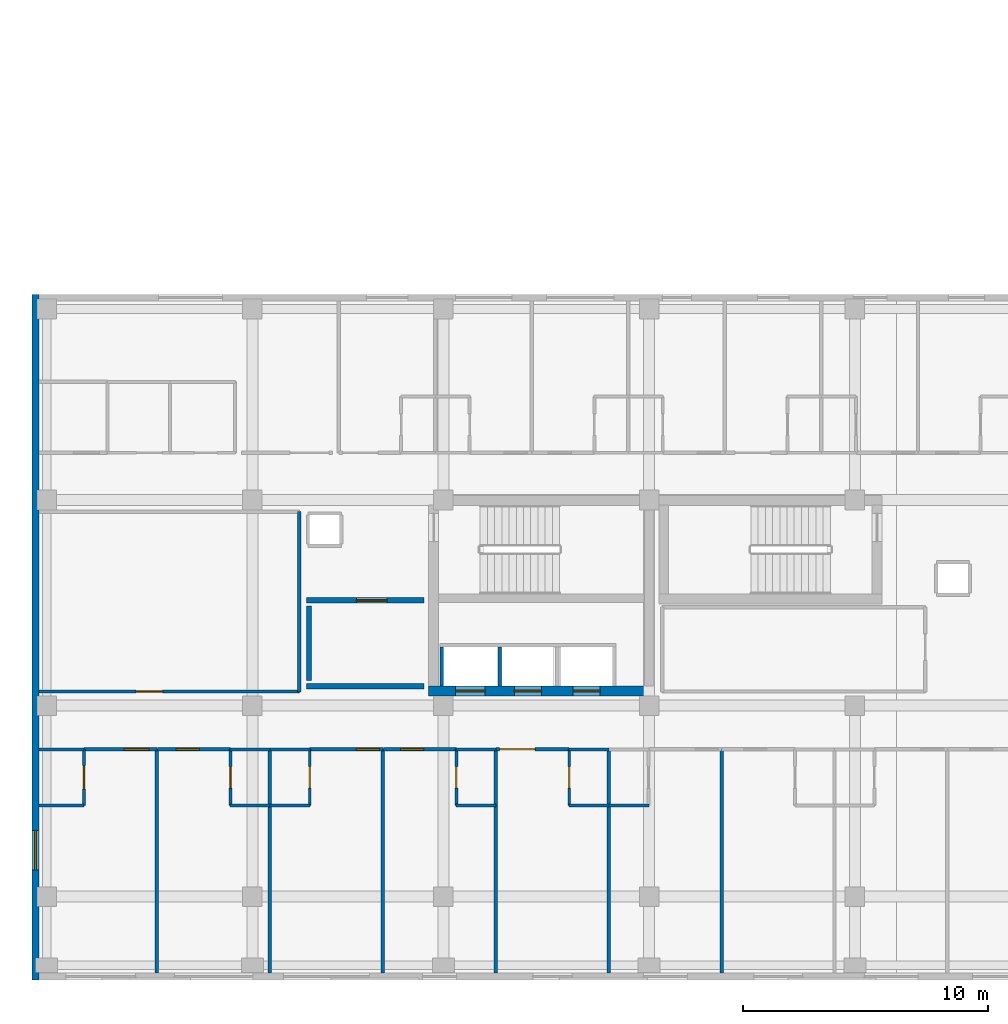
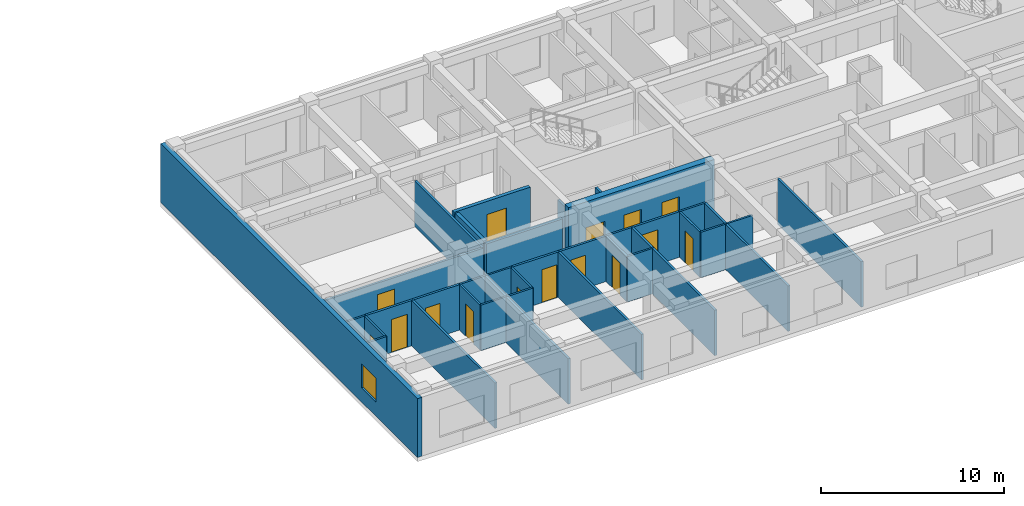
# One storey, part 102 of 123: 36 walls, 15 doors, 1 window, 16 openings.
"""IFC4 building model written with IfcOpenShell, lengths in metres."""

from ifc_helpers import new_model, si_unit, direction, frame, frame_2d, origin, place, context, subcontext, project, spatial, rectangle, extrude, material, layer, layer_set, type_object, element, fill, save


model = new_model("IFC4")

# Units and contexts
model_context = context("Model", 3, precision=1e-05, world=origin(), true_north=direction((0.0, 1.0)))
body_context = subcontext(model_context, "Body", "Model", "MODEL_VIEW")
ifc_project = project(units=[si_unit("LENGTHUNIT", "METRE"), si_unit("AREAUNIT", "SQUARE_METRE"), si_unit("VOLUMEUNIT", "CUBIC_METRE"), si_unit("PLANEANGLEUNIT", "RADIAN"), si_unit("MASSUNIT", "GRAM", prefix="KILO")], contexts=[model_context])

# Site, building, storey
site_placement = place(None, origin())
site = spatial("IfcSite", under=ifc_project, at=site_placement, CompositionType="ELEMENT")
building_placement = place(site_placement, origin())
building = spatial("IfcBuilding", under=site, at=building_placement, Name="Zayran Congress Hotel", CompositionType="ELEMENT")
storey_placement = place(building_placement, frame((0.0, 0.0, 15.0)))
storey = spatial("IfcBuildingStorey", under=building, at=storey_placement, Name="L03", CompositionType="ELEMENT", Elevation=15.0)

# Wall, opening, window
ifc_material_1 = material(Name="Hajar Ma'ani limestone cavity wall and concrete C32/40", Category="masonry")
ifc_layer_1 = layer(ifc_material_1, 0.280029296875)
ifc_layer_set_1 = layer_set([ifc_layer_1], Name="Hajar Ma'ani limestone cavity wall and concrete C32/40")
wall_type_1 = type_object("IfcWallType", Name="WL-EX-280", PredefinedType="SOLIDWALL", material=ifc_layer_set_1)
wall_1_placement = place(storey_placement, frame((8.5400390625, 6.0, 0.0), z_axis=(0.0, 0.0, 1.0), x_axis=(0.0, 1.0, 0.0)))
wall_1 = element("IfcWall", 1, at=wall_1_placement, inside=storey, type_object=wall_type_1, Name="EW-V5-W-L03", PredefinedType="SOLIDWALL", context=body_context, shape_type="SweptSolid", body=[
    extrude(rectangle(XDim=28.0, YDim=0.280029296875, at=frame_2d((14.0, 0.0))), origin(), (0.0, 0.0, 1.0), 3.919921875),
])
opening_1_placement = place(wall_1_placement, frame((4.5, 0.0, 0.949951171875)))
opening_1 = element("IfcOpeningElement", 2, at=opening_1_placement, cuts=wall_1, Name="Opening WN-15", PredefinedType="OPENING", context=body_context, shape_type="SweptSolid", body=[
    extrude(rectangle(XDim=1.60009765625, YDim=1.60009765625, at=frame_2d((0.800048828125, 0.800048828125))), frame((0.0, 0.14990234375, 0.0), z_axis=(0.0, -1.0, 0.0), x_axis=(1.0, 0.0, 0.0)), (0.0, 0.0, 1.0), 0.300048828125),
])
ifc_material_2 = material(Name="Anodised aluminium and low-E insulated glass", Category="aluminium")
window_type = type_object("IfcWindowType", Name="TP-WN-15", PartitioningType="SINGLE_PANEL", PredefinedType="WINDOW", material=ifc_material_2)
window_placement = place(opening_1_placement, origin())
window = element("IfcWindow", 3, at=window_placement, inside=storey, type_object=window_type, Name="WIN-V5W-L03", OverallHeight=1.60009765625, OverallWidth=1.60009765625, PartitioningType="SINGLE_PANEL", PredefinedType="WINDOW", context=body_context, shape_type="SweptSolid", body=[
    extrude(rectangle(XDim=1.60009765625, YDim=1.60009765625, at=frame_2d((0.800048828125, 0.800048828125))), frame((0.0, 0.030029296875, 0.0), z_axis=(0.0, -1.0, 0.0), x_axis=(1.0, 0.0, 0.0)), (0.0, 0.0, 1.0), 0.06005859375),
])
fill(opening_1, window)

# Wall, openings, doors
ifc_material_3 = material(Name="Concrete C40/50", Category="concrete")
ifc_layer_2 = layer(ifc_material_3, 0.39990234375)
ifc_layer_set_2 = layer_set([ifc_layer_2], Name="Concrete C40/50")
wall_type_2 = type_object("IfcWallType", Name="WL-SH-400", PredefinedType="SHEAR", material=ifc_layer_set_2)
wall_2_placement = place(storey_placement, frame((24.60009765625, 17.800048828125, 0.0), z_axis=(0.0, 0.0, 1.0), x_axis=(1.0, 0.0, 0.0)))
wall_2 = element("IfcWall", 4, at=wall_2_placement, inside=storey, type_object=wall_type_2, Name="CWALL-C-V5W-L03-S", PredefinedType="SHEAR", context=body_context, shape_type="SweptSolid", body=[
    extrude(rectangle(XDim=9.199951171875, YDim=0.39990234375, at=frame_2d((4.60009765625, 0.0))), origin(), (0.0, 0.0, 1.0), 3.919921875),
])
opening_2_placement = place(wall_2_placement, frame((1.10009765625, 0.0, 0.0)))
opening_2 = element("IfcOpeningElement", 5, at=opening_2_placement, cuts=wall_2, Name="Opening LD-FL01", PredefinedType="OPENING", context=body_context, shape_type="SweptSolid", body=[
    extrude(rectangle(XDim=1.199951171875, YDim=2.199951171875, at=frame_2d((0.60009765625, 1.10009765625))), frame((0.0, 0.2099609375, 0.0), z_axis=(0.0, -1.0, 0.0), x_axis=(1.0, 0.0, 0.0)), (0.0, 0.0, 1.0), 0.419921875),
])
opening_3_placement = place(wall_2_placement, frame((3.5, 0.0, 0.0)))
opening_3 = element("IfcOpeningElement", 6, at=opening_3_placement, cuts=wall_2, Name="Opening LD-PL01", PredefinedType="OPENING", context=body_context, shape_type="SweptSolid", body=[
    extrude(rectangle(XDim=1.10009765625, YDim=2.199951171875, at=frame_2d((0.550048828125, 1.10009765625))), frame((0.0, 0.2099609375, 0.0), z_axis=(0.0, -1.0, 0.0), x_axis=(1.0, 0.0, 0.0)), (0.0, 0.0, 1.0), 0.419921875),
])
opening_4_placement = place(wall_2_placement, frame((5.89990234375, 0.0, 0.0)))
opening_4 = element("IfcOpeningElement", 7, at=opening_4_placement, cuts=wall_2, Name="Opening LD-PL02", PredefinedType="OPENING", context=body_context, shape_type="SweptSolid", body=[
    extrude(rectangle(XDim=1.10009765625, YDim=2.199951171875, at=frame_2d((0.550048828125, 1.10009765625))), frame((0.0, 0.2099609375, 0.0), z_axis=(0.0, -1.0, 0.0), x_axis=(1.0, 0.0, 0.0)), (0.0, 0.0, 1.0), 0.419921875),
])
ifc_material_4 = material(Name="Brushed stainless steel sliding lift landing door", Category="steel")
door_type_1 = type_object("IfcDoorType", Name="TP-DR-LD-01", OperationType="DOUBLE_DOOR_SLIDING", PredefinedType="DOOR", material=ifc_material_4)
door_1_placement = place(opening_3_placement, origin())
door_1 = element("IfcDoor", 8, at=door_1_placement, inside=storey, type_object=door_type_1, Name="Lift PL-01 Sliding Landing Door L03", OperationType="DOUBLE_DOOR_SLIDING", OverallHeight=2.199951171875, OverallWidth=1.10009765625, PredefinedType="DOOR", context=body_context, shape_type="SweptSolid", body=[
    extrude(rectangle(XDim=1.10009765625, YDim=2.199951171875, at=frame_2d((0.550048828125, 1.10009765625))), frame((0.0, 0.02490234375, 0.0), z_axis=(0.0, -1.0, 0.0), x_axis=(1.0, 0.0, 0.0)), (0.0, 0.0, 1.0), 0.050048828125),
])
fill(opening_3, door_1)
door_2_placement = place(opening_4_placement, origin())
door_2 = element("IfcDoor", 9, at=door_2_placement, inside=storey, type_object=door_type_1, Name="Lift PL-02 Sliding Landing Door L03", OperationType="DOUBLE_DOOR_SLIDING", OverallHeight=2.199951171875, OverallWidth=1.10009765625, PredefinedType="DOOR", context=body_context, shape_type="SweptSolid", body=[
    extrude(rectangle(XDim=1.10009765625, YDim=2.199951171875, at=frame_2d((0.550048828125, 1.10009765625))), frame((0.0, 0.02490234375, 0.0), z_axis=(0.0, -1.0, 0.0), x_axis=(1.0, 0.0, 0.0)), (0.0, 0.0, 1.0), 0.050048828125),
])
fill(opening_4, door_2)
ifc_material_5 = material(Name="Brushed stainless steel firefighting lift landing door", Category="steel")
door_type_2 = type_object("IfcDoorType", Name="TP-DR-LD-02", OperationType="DOUBLE_DOOR_SLIDING", PredefinedType="DOOR", material=ifc_material_5)
door_3_placement = place(opening_2_placement, origin())
door_3 = element("IfcDoor", 10, at=door_3_placement, inside=storey, type_object=door_type_2, Name="Lift FL-01 Sliding Landing Door L03", OperationType="DOUBLE_DOOR_SLIDING", OverallHeight=2.199951171875, OverallWidth=1.199951171875, PredefinedType="DOOR", context=body_context, shape_type="SweptSolid", body=[
    extrude(rectangle(XDim=1.199951171875, YDim=2.199951171875, at=frame_2d((0.60009765625, 1.10009765625))), frame((0.0, 0.02490234375, 0.0), z_axis=(0.0, -1.0, 0.0), x_axis=(1.0, 0.0, 0.0)), (0.0, 0.0, 1.0), 0.050048828125),
])
fill(opening_2, door_3)

# Wall
ifc_material_6 = material(Name="Concrete C32/40 fire wall", Category="concrete")
ifc_layer_3 = layer(ifc_material_6, 0.219970703125)
ifc_layer_set_3 = layer_set([ifc_layer_3], Name="Concrete C32/40 fire wall")
wall_type_3 = type_object("IfcWallType", Name="WL-FF-220", PredefinedType="SOLIDWALL", material=ifc_layer_set_3)
wall_3_placement = place(storey_placement, frame((19.60009765625, 18.0, 0.0), z_axis=(0.0, 0.0, 1.0), x_axis=(1.0, 0.0, 0.0)))
element("IfcWall", 11, at=wall_3_placement, inside=storey, type_object=wall_type_3, Name="FFWL-C-V5W-L03-S", PredefinedType="SOLIDWALL", context=body_context, shape_type="SweptSolid", body=[
    extrude(rectangle(XDim=4.7998046875, YDim=0.219970703125, at=frame_2d((2.39990234375, 0.0))), origin(), (0.0, 0.0, 1.0), 3.070068359375),
])

# Wall, opening, door
wall_4_placement = place(storey_placement, frame((19.60009765625, 21.5, 0.0), z_axis=(0.0, 0.0, 1.0), x_axis=(1.0, 0.0, 0.0)))
wall_4 = element("IfcWall", 12, at=wall_4_placement, inside=storey, type_object=wall_type_3, Name="FFWL-C-V5W-L03-N", PredefinedType="SOLIDWALL", context=body_context, shape_type="SweptSolid", body=[
    extrude(rectangle(XDim=4.7998046875, YDim=0.219970703125, at=frame_2d((2.39990234375, 0.0))), origin(), (0.0, 0.0, 1.0), 3.070068359375),
])
opening_5_placement = place(wall_4_placement, frame((2.050048828125, 0.0, 0.0)))
opening_5 = element("IfcOpeningElement", 13, at=opening_5_placement, cuts=wall_4, Name="Opening DR-FF-60", PredefinedType="OPENING", context=body_context, shape_type="SweptSolid", body=[
    extrude(rectangle(XDim=1.25, YDim=2.199951171875, at=frame_2d((0.625, 1.10009765625))), frame((0.0, 0.119873046875, 0.0), z_axis=(0.0, -1.0, 0.0), x_axis=(1.0, 0.0, 0.0)), (0.0, 0.0, 1.0), 0.239990234375),
])
ifc_material_7 = material(Name="Painted steel smoke-seal fire door", Category="steel")
door_type_3 = type_object("IfcDoorType", Name="TP-DR-FF-60", OperationType="NOTDEFINED", PredefinedType="DOOR", material=ifc_material_7)
door_4_placement = place(opening_5_placement, origin())
door_4 = element("IfcDoor", 14, at=door_4_placement, inside=storey, type_object=door_type_3, Name="Firefighting Lift Lobby Door C-V5W L03", OperationType="SINGLE_SWING_RIGHT", OverallHeight=2.199951171875, OverallWidth=1.25, PredefinedType="DOOR", context=body_context, shape_type="SweptSolid", body=[
    extrude(rectangle(XDim=1.25, YDim=2.199951171875, at=frame_2d((0.625, 1.10009765625))), frame((0.0, 0.02490234375, 0.0), z_axis=(0.0, -1.0, 0.0), x_axis=(1.0, 0.0, 0.0)), (0.0, 0.0, 1.0), 0.050048828125),
])
fill(opening_5, door_4)

# Walls
wall_5_placement = place(storey_placement, frame((19.7099609375, 18.219970703125, 0.0), z_axis=(0.0, 0.0, 1.0), x_axis=(0.0, 1.0, 0.0)))
element("IfcWall", 15, at=wall_5_placement, inside=storey, type_object=wall_type_3, Name="FFWL-C-V5W-L03-SD", PredefinedType="SOLIDWALL", context=body_context, shape_type="SweptSolid", body=[
    extrude(rectangle(XDim=3.06005859375, YDim=0.219970703125, at=frame_2d((1.530029296875, 0.0))), origin(), (0.0, 0.0, 1.0), 3.070068359375),
])
ifc_material_8 = material(Name="Hospitality guestroom acoustic partition", Category="gypsum")
ifc_layer_4 = layer(ifc_material_8, 0.139892578125)
ifc_layer_set_4 = layer_set([ifc_layer_4], Name="Hospitality guestroom acoustic partition")
wall_type_4 = type_object("IfcWallType", Name="WL-PT-140", PredefinedType="PARTITIONING", material=ifc_layer_set_4)
for number, where, z_axis, x_axis, name in (
    (16, (25.1298828125, 18.0, 0.0), (0.0, 0.0, 1.0), (0.0, 1.0, 0.0), "LSHW-C-V5W-L03-W"),
    (17, (27.5, 18.0, 0.0), (0.0, 0.0, 1.0), (0.0, 1.0, 0.0), "LSHW-C-V5W-L03-DIV1"),
):
    element("IfcWall", number, at=place(storey_placement, frame(where, z_axis=z_axis, x_axis=x_axis)), inside=storey, type_object=wall_type_4, Name=name, PredefinedType="PARTITIONING", context=body_context, shape_type="SweptSolid", body=[
        extrude(rectangle(XDim=1.60009765625, YDim=0.139892578125, at=frame_2d((0.800048828125, 0.0))), origin(), (0.0, 0.0, 1.0), 3.070068359375),
    ])

# Wall, opening, door
wall_6_placement = place(storey_placement, frame((8.679931640625, 17.780029296875, 0.0), z_axis=(0.0, 0.0, 1.0), x_axis=(1.0, 0.0, 0.0)))
wall_6 = element("IfcWall", 18, at=wall_6_placement, inside=storey, type_object=wall_type_4, Name="IW-L03-0569", PredefinedType="PARTITIONING", context=body_context, shape_type="SweptSolid", body=[
    extrude(rectangle(XDim=10.650146484375, YDim=0.139892578125, at=frame_2d((5.3251953125, 0.0))), origin(), (0.0, 0.0, 1.0), 3.02001953125),
])
opening_6_placement = place(wall_6_placement, frame((3.969970703125, 0.0, 0.0)))
opening_6 = element("IfcOpeningElement", 19, at=opening_6_placement, cuts=wall_6, Name="Opening DR-MT-01", PredefinedType="OPENING", context=body_context, shape_type="SweptSolid", body=[
    extrude(rectangle(XDim=1.080078125, YDim=2.25, at=frame_2d((0.5400390625, 1.125))), frame((0.0, 0.079833984375, 0.0), z_axis=(0.0, -1.0, 0.0), x_axis=(1.0, 0.0, 0.0)), (0.0, 0.0, 1.0), 0.159912109375),
])
ifc_material_9 = material(Name="Acoustic timber seminar room door", Category="wood")
door_type_4 = type_object("IfcDoorType", Name="TP-DR-MT-01", OperationType="NOTDEFINED", PredefinedType="DOOR", material=ifc_material_9)
door_5_placement = place(opening_6_placement, origin())
door_5 = element("IfcDoor", 20, at=door_5_placement, inside=storey, type_object=door_type_4, Name="Delegate Study Salon West L03 Door", OperationType="SINGLE_SWING_LEFT", OverallHeight=2.25, OverallWidth=1.080078125, PredefinedType="DOOR", context=body_context, shape_type="SweptSolid", body=[
    extrude(rectangle(XDim=1.080078125, YDim=2.25, at=frame_2d((0.5400390625, 1.125))), frame((0.0, 0.02490234375, 0.0), z_axis=(0.0, -1.0, 0.0), x_axis=(1.0, 0.0, 0.0)), (0.0, 0.0, 1.0), 0.050048828125),
])
fill(opening_6, door_5)

wall_7_placement = place(storey_placement, frame((10.51904296875, 15.419921875, 0.0), z_axis=(0.0, 0.0, 1.0), x_axis=(1.0, 0.0, 0.0)))
wall_7 = element("IfcWall", 21, at=wall_7_placement, inside=storey, type_object=wall_type_4, Name="IW-L03-0571", PredefinedType="PARTITIONING", context=body_context, shape_type="SweptSolid", body=[
    extrude(rectangle(XDim=2.98193359375, YDim=0.139892578125, at=frame_2d((1.490966796875, 0.0))), origin(), (0.0, 0.0, 1.0), 3.02001953125),
])
opening_7_placement = place(wall_7_placement, frame((1.64208984375, 0.0, 0.0)))
opening_7 = element("IfcOpeningElement", 22, at=opening_7_placement, cuts=wall_7, Name="Opening DR-GR-02", PredefinedType="OPENING", context=body_context, shape_type="SweptSolid", body=[
    extrude(rectangle(XDim=1.02001953125, YDim=2.199951171875, at=frame_2d((0.510009765625, 1.10009765625))), frame((0.0, 0.079833984375, 0.0), z_axis=(0.0, -1.0, 0.0), x_axis=(1.0, 0.0, 0.0)), (0.0, 0.0, 1.0), 0.159912109375),
])
ifc_material_10 = material(Name="Accessible acoustic walnut veneer entry door", Category="wood")
door_type_5 = type_object("IfcDoorType", Name="TP-DR-GR-02", OperationType="NOTDEFINED", PredefinedType="DOOR", material=ifc_material_10)
door_6_placement = place(opening_7_placement, origin())
door_6 = element("IfcDoor", 23, at=door_6_placement, inside=storey, type_object=door_type_5, Name="Accessible Guest Room L03-01 Door", OperationType="SINGLE_SWING_LEFT", OverallHeight=2.199951171875, OverallWidth=1.02001953125, PredefinedType="DOOR", context=body_context, shape_type="SweptSolid", body=[
    extrude(rectangle(XDim=1.02001953125, YDim=2.199951171875, at=frame_2d((0.510009765625, 1.10009765625))), frame((0.0, 0.02490234375, 0.0), z_axis=(0.0, -1.0, 0.0), x_axis=(1.0, 0.0, 0.0)), (0.0, 0.0, 1.0), 0.050048828125),
])
fill(opening_7, door_6)

wall_8_placement = place(storey_placement, frame((13.52099609375, 15.419921875, 0.0), z_axis=(0.0, 0.0, 1.0), x_axis=(1.0, 0.0, 0.0)))
wall_8 = element("IfcWall", 24, at=wall_8_placement, inside=storey, type_object=wall_type_4, Name="IW-L03-0572", PredefinedType="PARTITIONING", context=body_context, shape_type="SweptSolid", body=[
    extrude(rectangle(XDim=2.98193359375, YDim=0.139892578125, at=frame_2d((1.490966796875, 0.0))), origin(), (0.0, 0.0, 1.0), 3.02001953125),
])
opening_8_placement = place(wall_8_placement, frame((0.76904296875, 0.0, 0.0)))
opening_8 = element("IfcOpeningElement", 25, at=opening_8_placement, cuts=wall_8, Name="Opening DR-GR-01", PredefinedType="OPENING", context=body_context, shape_type="SweptSolid", body=[
    extrude(rectangle(XDim=0.93994140625, YDim=2.199951171875, at=frame_2d((0.469970703125, 1.10009765625))), frame((0.0, 0.079833984375, 0.0), z_axis=(0.0, -1.0, 0.0), x_axis=(1.0, 0.0, 0.0)), (0.0, 0.0, 1.0), 0.159912109375),
])
ifc_material_11 = material(Name="Acoustic walnut veneer fire-rated entry door", Category="wood")
door_type_6 = type_object("IfcDoorType", Name="TP-DR-GR-01", OperationType="NOTDEFINED", PredefinedType="DOOR", material=ifc_material_11)
door_7_placement = place(opening_8_placement, origin())
door_7 = element("IfcDoor", 26, at=door_7_placement, inside=storey, type_object=door_type_6, Name="Guest Room L03-02 Door", OperationType="SINGLE_SWING_RIGHT", OverallHeight=2.199951171875, OverallWidth=0.93994140625, PredefinedType="DOOR", context=body_context, shape_type="SweptSolid", body=[
    extrude(rectangle(XDim=0.93994140625, YDim=2.199951171875, at=frame_2d((0.469970703125, 1.10009765625))), frame((0.0, 0.02490234375, 0.0), z_axis=(0.0, -1.0, 0.0), x_axis=(1.0, 0.0, 0.0)), (0.0, 0.0, 1.0), 0.050048828125),
])
fill(opening_8, door_7)

wall_9_placement = place(storey_placement, frame((19.740966796875, 15.419921875, 0.0), z_axis=(0.0, 0.0, 1.0), x_axis=(1.0, 0.0, 0.0)))
wall_9 = element("IfcWall", 27, at=wall_9_placement, inside=storey, type_object=wall_type_4, Name="IW-L03-0573", PredefinedType="PARTITIONING", context=body_context, shape_type="SweptSolid", body=[
    extrude(rectangle(XDim=2.98193359375, YDim=0.139892578125, at=frame_2d((1.490966796875, 0.0))), origin(), (0.0, 0.0, 1.0), 3.02001953125),
])
opening_9_placement = place(wall_9_placement, frame((1.902099609375, 0.0, 0.0)))
opening_9 = element("IfcOpeningElement", 28, at=opening_9_placement, cuts=wall_9, Name="Opening DR-GR-01", PredefinedType="OPENING", context=body_context, shape_type="SweptSolid", body=[
    extrude(rectangle(XDim=0.93994140625, YDim=2.199951171875, at=frame_2d((0.469970703125, 1.10009765625))), frame((0.0, 0.079833984375, 0.0), z_axis=(0.0, -1.0, 0.0), x_axis=(1.0, 0.0, 0.0)), (0.0, 0.0, 1.0), 0.159912109375),
])
door_8_placement = place(opening_9_placement, origin())
door_8 = element("IfcDoor", 29, at=door_8_placement, inside=storey, type_object=door_type_6, Name="Guest Room L03-03 Door", OperationType="SINGLE_SWING_LEFT", OverallHeight=2.199951171875, OverallWidth=0.93994140625, PredefinedType="DOOR", context=body_context, shape_type="SweptSolid", body=[
    extrude(rectangle(XDim=0.93994140625, YDim=2.199951171875, at=frame_2d((0.469970703125, 1.10009765625))), frame((0.0, 0.02490234375, 0.0), z_axis=(0.0, -1.0, 0.0), x_axis=(1.0, 0.0, 0.0)), (0.0, 0.0, 1.0), 0.050048828125),
])
fill(opening_9, door_8)

wall_10_placement = place(storey_placement, frame((22.742919921875, 15.419921875, 0.0), z_axis=(0.0, 0.0, 1.0), x_axis=(1.0, 0.0, 0.0)))
wall_10 = element("IfcWall", 30, at=wall_10_placement, inside=storey, type_object=wall_type_4, Name="IW-L03-0574", PredefinedType="PARTITIONING", context=body_context, shape_type="SweptSolid", body=[
    extrude(rectangle(XDim=2.982177734375, YDim=0.139892578125, at=frame_2d((1.4912109375, 0.0))), origin(), (0.0, 0.0, 1.0), 3.02001953125),
])
opening_10_placement = place(wall_10_placement, frame((0.7060546875, 0.0, 0.0)))
opening_10 = element("IfcOpeningElement", 31, at=opening_10_placement, cuts=wall_10, Name="Opening DR-GR-01", PredefinedType="OPENING", context=body_context, shape_type="SweptSolid", body=[
    extrude(rectangle(XDim=0.93994140625, YDim=2.199951171875, at=frame_2d((0.469970703125, 1.10009765625))), frame((0.0, 0.079833984375, 0.0), z_axis=(0.0, -1.0, 0.0), x_axis=(1.0, 0.0, 0.0)), (0.0, 0.0, 1.0), 0.159912109375),
])
door_9_placement = place(opening_10_placement, origin())
door_9 = element("IfcDoor", 32, at=door_9_placement, inside=storey, type_object=door_type_6, Name="Guest Room L03-04 Door", OperationType="SINGLE_SWING_RIGHT", OverallHeight=2.199951171875, OverallWidth=0.93994140625, PredefinedType="DOOR", context=body_context, shape_type="SweptSolid", body=[
    extrude(rectangle(XDim=0.93994140625, YDim=2.199951171875, at=frame_2d((0.469970703125, 1.10009765625))), frame((0.0, 0.02490234375, 0.0), z_axis=(0.0, -1.0, 0.0), x_axis=(1.0, 0.0, 0.0)), (0.0, 0.0, 1.0), 0.050048828125),
])
fill(opening_10, door_9)

wall_11_placement = place(storey_placement, frame((27.35400390625, 15.419921875, 0.0), z_axis=(0.0, 0.0, 1.0), x_axis=(1.0, 0.0, 0.0)))
wall_11 = element("IfcWall", 33, at=wall_11_placement, inside=storey, type_object=wall_type_4, Name="IW-L03-0575", PredefinedType="PARTITIONING", context=body_context, shape_type="SweptSolid", body=[
    extrude(rectangle(XDim=2.98291015625, YDim=0.139892578125, at=frame_2d((1.491455078125, 0.0))), origin(), (0.0, 0.0, 1.0), 3.02001953125),
])
opening_11_placement = place(wall_11_placement, frame((0.139892578125, 0.0, 0.0)))
opening_11 = element("IfcOpeningElement", 34, at=opening_11_placement, cuts=wall_11, Name="Opening DR-ST-01", PredefinedType="OPENING", context=body_context, shape_type="SweptSolid", body=[
    extrude(rectangle(XDim=1.449951171875, YDim=2.300048828125, at=frame_2d((0.72509765625, 1.14990234375))), frame((0.0, 0.079833984375, 0.0), z_axis=(0.0, -1.0, 0.0), x_axis=(1.0, 0.0, 0.0)), (0.0, 0.0, 1.0), 0.159912109375),
])
ifc_material_12 = material(Name="Double walnut veneer suite entry door", Category="wood")
door_type_7 = type_object("IfcDoorType", Name="TP-DR-ST-01", OperationType="DOUBLE_DOOR_SINGLE_SWING", PredefinedType="DOOR", material=ifc_material_12)
door_10_placement = place(opening_11_placement, origin())
door_10 = element("IfcDoor", 35, at=door_10_placement, inside=storey, type_object=door_type_7, Name="Junior Suite L03-05 Door", OperationType="DOUBLE_DOOR_SINGLE_SWING", OverallHeight=2.300048828125, OverallWidth=1.449951171875, PredefinedType="DOOR", context=body_context, shape_type="SweptSolid", body=[
    extrude(rectangle(XDim=1.449951171875, YDim=2.300048828125, at=frame_2d((0.72509765625, 1.14990234375))), frame((0.0, 0.02490234375, 0.0), z_axis=(0.0, -1.0, 0.0), x_axis=(1.0, 0.0, 0.0)), (0.0, 0.0, 1.0), 0.050048828125),
])
fill(opening_11, door_10)

# Walls
wall_12_placement = place(storey_placement, frame((19.320068359375, 17.77001953125, 0.0), z_axis=(0.0, 0.0, 1.0), x_axis=(0.0, 1.0, 0.0)))
element("IfcWall", 36, at=wall_12_placement, inside=storey, type_object=wall_type_4, Name="IW-L03-1890", PredefinedType="PARTITIONING", context=body_context, shape_type="SweptSolid", body=[
    extrude(rectangle(XDim=7.35986328125, YDim=0.139892578125, at=frame_2d((3.679931640625, 0.0))), origin(), (0.0, 0.0, 1.0), 3.02001953125),
])
for number, where, z_axis, x_axis, name in (
    (37, (13.5009765625, 6.280029296875, 0.0), (0.0, 0.0, 1.0), (0.0, 1.0, 0.0), "IW-L03-1893"),
    (38, (18.112060546875, 6.280029296875, 0.0), (0.0, 0.0, 1.0), (0.0, 1.0, 0.0), "IW-L03-1894"),
    (39, (22.722900390625, 6.280029296875, 0.0), (0.0, 0.0, 1.0), (0.0, 1.0, 0.0), "IW-L03-1895"),
    (40, (27.333984375, 6.280029296875, 0.0), (0.0, 0.0, 1.0), (0.0, 1.0, 0.0), "IW-L03-1896"),
    (41, (31.946044921875, 6.280029296875, 0.0), (0.0, 0.0, 1.0), (0.0, 1.0, 0.0), "IW-L03-1897"),
    (42, (36.556884765625, 6.280029296875, 0.0), (0.0, 0.0, 1.0), (0.0, 1.0, 0.0), "IW-L03-1898"),
):
    element("IfcWall", number, at=place(storey_placement, frame(where, z_axis=z_axis, x_axis=x_axis)), inside=storey, type_object=wall_type_4, Name=name, PredefinedType="PARTITIONING", context=body_context, shape_type="SweptSolid", body=[
        extrude(rectangle(XDim=9.14990234375, YDim=0.139892578125, at=frame_2d((4.574951171875, 0.0))), origin(), (0.0, 0.0, 1.0), 3.02001953125),
    ])

# Wall, opening, door
ifc_material_13 = material(Name="Moisture-resistant bathroom partition", Category="gypsum")
ifc_layer_5 = layer(ifc_material_13, 0.1201171875)
ifc_layer_set_5 = layer_set([ifc_layer_5], Name="Moisture-resistant bathroom partition")
wall_type_5 = type_object("IfcWallType", Name="WL-PT-120", PredefinedType="PARTITIONING", material=ifc_layer_set_5)
wall_13_placement = place(storey_placement, frame((10.51904296875, 13.1201171875, 0.0), z_axis=(0.0, 0.0, 1.0), x_axis=(0.0, 1.0, 0.0)))
wall_13 = element("IfcWall", 43, at=wall_13_placement, inside=storey, type_object=wall_type_5, Name="IW-L03-0091", PredefinedType="PARTITIONING", context=body_context, shape_type="SweptSolid", body=[
    extrude(rectangle(XDim=2.309814453125, YDim=0.1201171875, at=frame_2d((1.15478515625, 0.0))), origin(), (0.0, 0.0, 1.0), 3.02001953125),
])
opening_12_placement = place(wall_13_placement, frame((0.675048828125, 0.0, 0.0)))
opening_12 = element("IfcOpeningElement", 44, at=opening_12_placement, cuts=wall_13, Name="Opening DR-BT-02", PredefinedType="OPENING", context=body_context, shape_type="SweptSolid", body=[
    extrude(rectangle(XDim=0.9599609375, YDim=2.14990234375, at=frame_2d((0.47998046875, 1.074951171875))), frame((0.0, 0.070068359375, 0.0), z_axis=(0.0, -1.0, 0.0), x_axis=(1.0, 0.0, 0.0)), (0.0, 0.0, 1.0), 0.14013671875),
])
ifc_material_14 = material(Name="Accessible en-suite bathroom door", Category="steel")
door_type_8 = type_object("IfcDoorType", Name="TP-DR-BT-02", OperationType="NOTDEFINED", PredefinedType="DOOR", material=ifc_material_14)
door_11_placement = place(opening_12_placement, origin())
door_11 = element("IfcDoor", 45, at=door_11_placement, inside=storey, type_object=door_type_8, Name="En-Suite Bathroom L03-01 Door", OperationType="SINGLE_SWING_RIGHT", OverallHeight=2.14990234375, OverallWidth=0.9599609375, PredefinedType="DOOR", context=body_context, shape_type="SweptSolid", body=[
    extrude(rectangle(XDim=0.9599609375, YDim=2.14990234375, at=frame_2d((0.47998046875, 1.074951171875))), frame((0.0, 0.02490234375, 0.0), z_axis=(0.0, -1.0, 0.0), x_axis=(1.0, 0.0, 0.0)), (0.0, 0.0, 1.0), 0.050048828125),
])
fill(opening_12, door_11)

wall_14_placement = place(storey_placement, frame((16.5029296875, 13.1201171875, 0.0), z_axis=(0.0, 0.0, 1.0), x_axis=(0.0, 1.0, 0.0)))
wall_14 = element("IfcWall", 46, at=wall_14_placement, inside=storey, type_object=wall_type_5, Name="IW-L03-0092", PredefinedType="PARTITIONING", context=body_context, shape_type="SweptSolid", body=[
    extrude(rectangle(XDim=2.309814453125, YDim=0.1201171875, at=frame_2d((1.15478515625, 0.0))), origin(), (0.0, 0.0, 1.0), 3.02001953125),
])
opening_13_placement = place(wall_14_placement, frame((0.715087890625, 0.0, 0.0)))
opening_13 = element("IfcOpeningElement", 47, at=opening_13_placement, cuts=wall_14, Name="Opening DR-BT-01", PredefinedType="OPENING", context=body_context, shape_type="SweptSolid", body=[
    extrude(rectangle(XDim=0.8798828125, YDim=2.14990234375, at=frame_2d((0.43994140625, 1.074951171875))), frame((0.0, 0.070068359375, 0.0), z_axis=(0.0, -1.0, 0.0), x_axis=(1.0, 0.0, 0.0)), (0.0, 0.0, 1.0), 0.14013671875),
])
ifc_material_15 = material(Name="Moisture-resistant oak en-suite door", Category="wood")
door_type_9 = type_object("IfcDoorType", Name="TP-DR-BT-01", OperationType="NOTDEFINED", PredefinedType="DOOR", material=ifc_material_15)
door_12_placement = place(opening_13_placement, origin())
door_12 = element("IfcDoor", 48, at=door_12_placement, inside=storey, type_object=door_type_9, Name="En-Suite Bathroom L03-02 Door", OperationType="SINGLE_SWING_LEFT", OverallHeight=2.14990234375, OverallWidth=0.8798828125, PredefinedType="DOOR", context=body_context, shape_type="SweptSolid", body=[
    extrude(rectangle(XDim=0.8798828125, YDim=2.14990234375, at=frame_2d((0.43994140625, 1.074951171875))), frame((0.0, 0.02490234375, 0.0), z_axis=(0.0, -1.0, 0.0), x_axis=(1.0, 0.0, 0.0)), (0.0, 0.0, 1.0), 0.050048828125),
])
fill(opening_13, door_12)

wall_15_placement = place(storey_placement, frame((19.740966796875, 13.1201171875, 0.0), z_axis=(0.0, 0.0, 1.0), x_axis=(0.0, 1.0, 0.0)))
wall_15 = element("IfcWall", 49, at=wall_15_placement, inside=storey, type_object=wall_type_5, Name="IW-L03-0093", PredefinedType="PARTITIONING", context=body_context, shape_type="SweptSolid", body=[
    extrude(rectangle(XDim=2.309814453125, YDim=0.1201171875, at=frame_2d((1.15478515625, 0.0))), origin(), (0.0, 0.0, 1.0), 3.02001953125),
])
opening_14_placement = place(wall_15_placement, frame((0.715087890625, 0.0, 0.0)))
opening_14 = element("IfcOpeningElement", 50, at=opening_14_placement, cuts=wall_15, Name="Opening DR-BT-01", PredefinedType="OPENING", context=body_context, shape_type="SweptSolid", body=[
    extrude(rectangle(XDim=0.8798828125, YDim=2.14990234375, at=frame_2d((0.43994140625, 1.074951171875))), frame((0.0, 0.070068359375, 0.0), z_axis=(0.0, -1.0, 0.0), x_axis=(1.0, 0.0, 0.0)), (0.0, 0.0, 1.0), 0.14013671875),
])
door_13_placement = place(opening_14_placement, origin())
door_13 = element("IfcDoor", 51, at=door_13_placement, inside=storey, type_object=door_type_9, Name="En-Suite Bathroom L03-03 Door", OperationType="SINGLE_SWING_RIGHT", OverallHeight=2.14990234375, OverallWidth=0.8798828125, PredefinedType="DOOR", context=body_context, shape_type="SweptSolid", body=[
    extrude(rectangle(XDim=0.8798828125, YDim=2.14990234375, at=frame_2d((0.43994140625, 1.074951171875))), frame((0.0, 0.02490234375, 0.0), z_axis=(0.0, -1.0, 0.0), x_axis=(1.0, 0.0, 0.0)), (0.0, 0.0, 1.0), 0.050048828125),
])
fill(opening_14, door_13)

wall_16_placement = place(storey_placement, frame((25.72509765625, 13.1201171875, 0.0), z_axis=(0.0, 0.0, 1.0), x_axis=(0.0, 1.0, 0.0)))
wall_16 = element("IfcWall", 52, at=wall_16_placement, inside=storey, type_object=wall_type_5, Name="IW-L03-0094", PredefinedType="PARTITIONING", context=body_context, shape_type="SweptSolid", body=[
    extrude(rectangle(XDim=2.309814453125, YDim=0.1201171875, at=frame_2d((1.15478515625, 0.0))), origin(), (0.0, 0.0, 1.0), 3.02001953125),
])
opening_15_placement = place(wall_16_placement, frame((0.715087890625, 0.0, 0.0)))
opening_15 = element("IfcOpeningElement", 53, at=opening_15_placement, cuts=wall_16, Name="Opening DR-BT-01", PredefinedType="OPENING", context=body_context, shape_type="SweptSolid", body=[
    extrude(rectangle(XDim=0.8798828125, YDim=2.14990234375, at=frame_2d((0.43994140625, 1.074951171875))), frame((0.0, 0.070068359375, 0.0), z_axis=(0.0, -1.0, 0.0), x_axis=(1.0, 0.0, 0.0)), (0.0, 0.0, 1.0), 0.14013671875),
])
door_14_placement = place(opening_15_placement, origin())
door_14 = element("IfcDoor", 54, at=door_14_placement, inside=storey, type_object=door_type_9, Name="En-Suite Bathroom L03-04 Door", OperationType="SINGLE_SWING_LEFT", OverallHeight=2.14990234375, OverallWidth=0.8798828125, PredefinedType="DOOR", context=body_context, shape_type="SweptSolid", body=[
    extrude(rectangle(XDim=0.8798828125, YDim=2.14990234375, at=frame_2d((0.43994140625, 1.074951171875))), frame((0.0, 0.02490234375, 0.0), z_axis=(0.0, -1.0, 0.0), x_axis=(1.0, 0.0, 0.0)), (0.0, 0.0, 1.0), 0.050048828125),
])
fill(opening_15, door_14)

wall_17_placement = place(storey_placement, frame((30.3369140625, 13.1201171875, 0.0), z_axis=(0.0, 0.0, 1.0), x_axis=(0.0, 1.0, 0.0)))
wall_17 = element("IfcWall", 55, at=wall_17_placement, inside=storey, type_object=wall_type_5, Name="IW-L03-0095", PredefinedType="PARTITIONING", context=body_context, shape_type="SweptSolid", body=[
    extrude(rectangle(XDim=2.309814453125, YDim=0.1201171875, at=frame_2d((1.15478515625, 0.0))), origin(), (0.0, 0.0, 1.0), 3.02001953125),
])
opening_16_placement = place(wall_17_placement, frame((0.715087890625, 0.0, 0.0)))
opening_16 = element("IfcOpeningElement", 56, at=opening_16_placement, cuts=wall_17, Name="Opening DR-BT-01", PredefinedType="OPENING", context=body_context, shape_type="SweptSolid", body=[
    extrude(rectangle(XDim=0.8798828125, YDim=2.14990234375, at=frame_2d((0.43994140625, 1.074951171875))), frame((0.0, 0.070068359375, 0.0), z_axis=(0.0, -1.0, 0.0), x_axis=(1.0, 0.0, 0.0)), (0.0, 0.0, 1.0), 0.14013671875),
])
door_15_placement = place(opening_16_placement, origin())
door_15 = element("IfcDoor", 57, at=door_15_placement, inside=storey, type_object=door_type_9, Name="En-Suite Bathroom L03-05 Door", OperationType="SINGLE_SWING_RIGHT", OverallHeight=2.14990234375, OverallWidth=0.8798828125, PredefinedType="DOOR", context=body_context, shape_type="SweptSolid", body=[
    extrude(rectangle(XDim=0.8798828125, YDim=2.14990234375, at=frame_2d((0.43994140625, 1.074951171875))), frame((0.0, 0.02490234375, 0.0), z_axis=(0.0, -1.0, 0.0), x_axis=(1.0, 0.0, 0.0)), (0.0, 0.0, 1.0), 0.050048828125),
])
fill(opening_16, door_15)

# Walls
for number, where, z_axis, x_axis, name in (
    (58, (8.679931640625, 13.1298828125, 0.0), (0.0, 0.0, 1.0), (1.0, 0.0, 0.0), "IW-L03-1049"),
    (59, (8.679931640625, 15.419921875, 0.0), (0.0, 0.0, 1.0), (1.0, 0.0, 0.0), "IW-L03-1050"),
):
    element("IfcWall", number, at=place(storey_placement, frame(where, z_axis=z_axis, x_axis=x_axis)), inside=storey, type_object=wall_type_5, Name=name, PredefinedType="PARTITIONING", context=body_context, shape_type="SweptSolid", body=[
        extrude(rectangle(XDim=1.84912109375, YDim=0.1201171875, at=frame_2d((0.924560546875, 0.0))), origin(), (0.0, 0.0, 1.0), 3.02001953125),
    ])
for number, where, z_axis, x_axis, name in (
    (60, (16.492919921875, 13.1298828125, 0.0), (0.0, 0.0, 1.0), (1.0, 0.0, 0.0), "IW-L03-1051"),
    (61, (16.492919921875, 15.419921875, 0.0), (0.0, 0.0, 1.0), (1.0, 0.0, 0.0), "IW-L03-1052"),
):
    element("IfcWall", number, at=place(storey_placement, frame(where, z_axis=z_axis, x_axis=x_axis)), inside=storey, type_object=wall_type_5, Name=name, PredefinedType="PARTITIONING", context=body_context, shape_type="SweptSolid", body=[
        extrude(rectangle(XDim=1.629150390625, YDim=0.1201171875, at=frame_2d((0.814453125, 0.0))), origin(), (0.0, 0.0, 1.0), 3.02001953125),
    ])
for number, where, z_axis, x_axis, name in (
    (62, (18.1220703125, 13.1298828125, 0.0), (0.0, 0.0, 1.0), (1.0, 0.0, 0.0), "IW-L03-1053"),
    (63, (18.1220703125, 15.419921875, 0.0), (0.0, 0.0, 1.0), (1.0, 0.0, 0.0), "IW-L03-1054"),
    (64, (25.715087890625, 13.1298828125, 0.0), (0.0, 0.0, 1.0), (1.0, 0.0, 0.0), "IW-L03-1055"),
    (65, (25.715087890625, 15.419921875, 0.0), (0.0, 0.0, 1.0), (1.0, 0.0, 0.0), "IW-L03-1056"),
):
    element("IfcWall", number, at=place(storey_placement, frame(where, z_axis=z_axis, x_axis=x_axis)), inside=storey, type_object=wall_type_5, Name=name, PredefinedType="PARTITIONING", context=body_context, shape_type="SweptSolid", body=[
        extrude(rectangle(XDim=1.62890625, YDim=0.1201171875, at=frame_2d((0.814453125, 0.0))), origin(), (0.0, 0.0, 1.0), 3.02001953125),
    ])
for number, where, z_axis, x_axis, name in (
    (66, (30.326904296875, 13.1298828125, 0.0), (0.0, 0.0, 1.0), (1.0, 0.0, 0.0), "IW-L03-1057"),
    (67, (30.326904296875, 15.419921875, 0.0), (0.0, 0.0, 1.0), (1.0, 0.0, 0.0), "IW-L03-1058"),
):
    element("IfcWall", number, at=place(storey_placement, frame(where, z_axis=z_axis, x_axis=x_axis)), inside=storey, type_object=wall_type_5, Name=name, PredefinedType="PARTITIONING", context=body_context, shape_type="SweptSolid", body=[
        extrude(rectangle(XDim=1.629150390625, YDim=0.1201171875, at=frame_2d((0.814453125, 0.0))), origin(), (0.0, 0.0, 1.0), 3.02001953125),
    ])
wall_18_placement = place(storey_placement, frame((31.9560546875, 13.1298828125, 0.0), z_axis=(0.0, 0.0, 1.0), x_axis=(1.0, 0.0, 0.0)))
element("IfcWall", 68, at=wall_18_placement, inside=storey, type_object=wall_type_5, Name="IW-L03-1059", PredefinedType="PARTITIONING", context=body_context, shape_type="SweptSolid", body=[
    extrude(rectangle(XDim=1.62890625, YDim=0.1201171875, at=frame_2d((0.814453125, 0.0))), origin(), (0.0, 0.0, 1.0), 3.02001953125),
])

save(model, "model.ifc")
